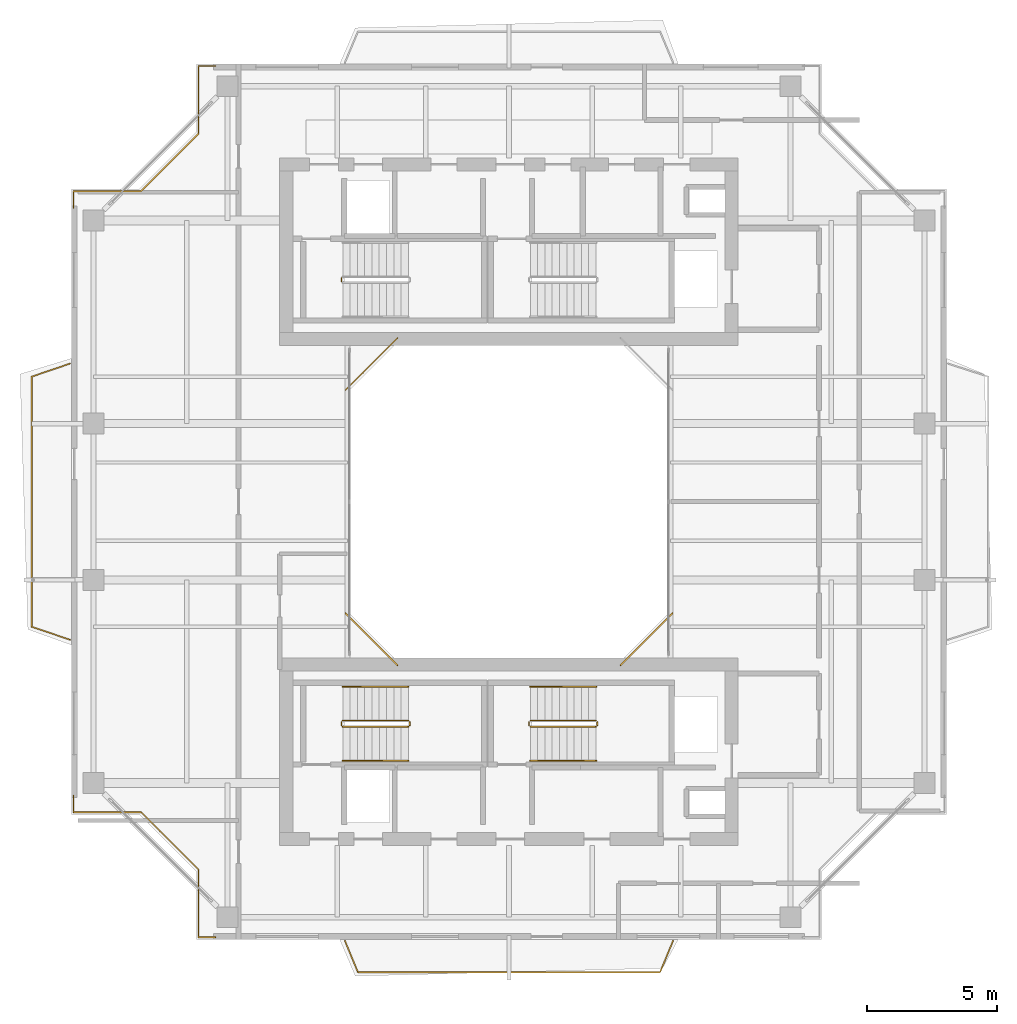
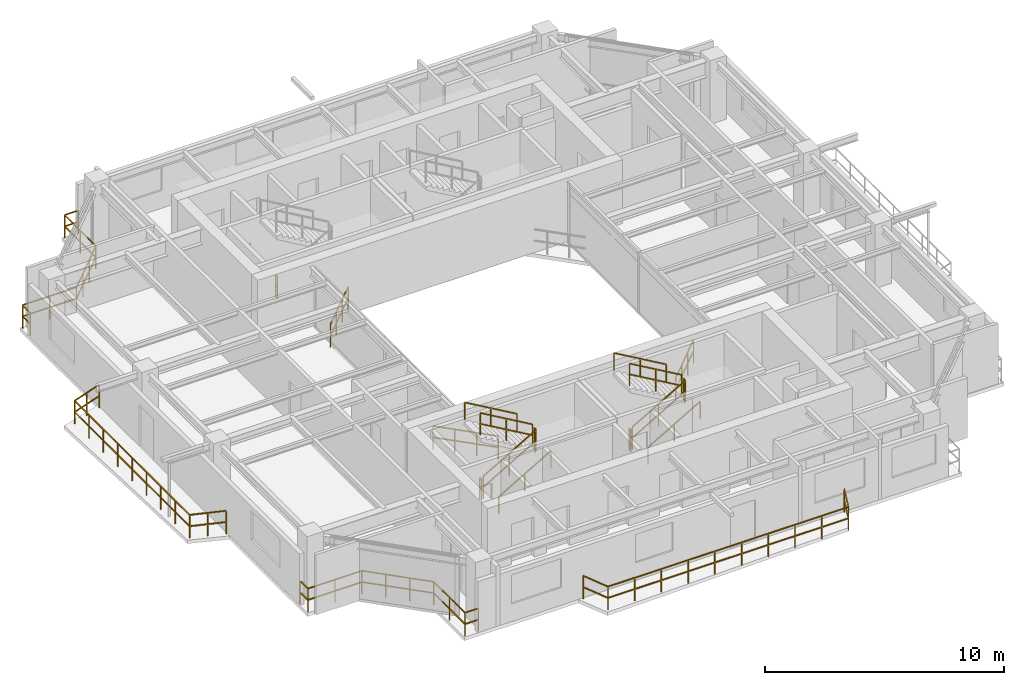
# One storey, part 14 of 15: 20 railings.
"""IFC4 building model written with IfcOpenShell, lengths in metres."""

import ifcopenshell
import ifcopenshell.guid

model = None  # the IFC model being written
_history = None  # IfcOwnerHistory: only IFC2X3 demands one
_inside = {}  # id of a spatial element -> (the spatial element, [elements in it])
_under = {}  # id of a project, library or spatial element -> (it, [spatial elements below it])
_declared = {}  # id of a project -> (the project, [libraries it declares])
_typed = {}  # id of a type object -> (the type object, [elements of that type])
_made_of = {}  # id of a material, layer set ... -> (it, [elements and type objects made of it])


def new_model(schema):
    """Start an empty IFC model of exactly this schema.

    Asked for "IFC4X3", IfcOpenShell would pick the latest addendum, in which some entities
    have other attributes; the version numbers below select the first issue.
    IFC2X3 requires an IfcOwnerHistory on every rooted entity: one is made here for all.
    """
    global model, _history
    if schema == "IFC4X3":
        model = ifcopenshell.file(schema_version=(4, 3, 0, 0))
    else:
        model = ifcopenshell.file(schema=schema)
    _inside.clear()
    _under.clear()
    _declared.clear()
    _typed.clear()
    _made_of.clear()
    _history = None
    if model.schema == "IFC2X3":
        org = make("IfcOrganization", Name="unknown")
        user = make(
            "IfcPersonAndOrganization",
            ThePerson=make("IfcPerson", FamilyName="unknown"),
            TheOrganization=org,
        )
        app = make(
            "IfcApplication",
            ApplicationDeveloper=org,
            Version="unknown",
            ApplicationFullName="unknown",
            ApplicationIdentifier="unknown",
        )
        _history = make(
            "IfcOwnerHistory",
            OwningUser=user,
            OwningApplication=app,
            ChangeAction="ADDED",
            CreationDate=0,
        )
    return model


def make(cls, **values):
    """One entity of the class cls with the attributes given. An attribute that is None is left unset."""
    return model.create_entity(
        cls, **{name: value for name, value in values.items() if value is not None}
    )


def rooted(cls, **values):
    """An entity with a GlobalId (a new one), such as an element, a storey or a relation."""
    return make(cls, GlobalId=ifcopenshell.guid.new(), OwnerHistory=_history, **values)


def si_unit(unit_type, name, prefix=None):
    """IfcSIUnit, for example si_unit("LENGTHUNIT", "METRE", prefix="MILLI")."""
    return make("IfcSIUnit", UnitType=unit_type, Prefix=prefix, Name=name)


def assignment(units):
    """IfcUnitAssignment: the units of a project."""
    return None if units is None else make("IfcUnitAssignment", Units=units)


def point(xyz):
    """IfcCartesianPoint."""
    return None if xyz is None else make("IfcCartesianPoint", Coordinates=xyz)


def direction(xyz):
    """IfcDirection."""
    return None if xyz is None else make("IfcDirection", DirectionRatios=xyz)


def frame(location, z_axis=None, x_axis=None):
    """IfcAxis2Placement3D, a coordinate frame: its origin and axes. An axis left out is left unset."""
    return make(
        "IfcAxis2Placement3D",
        Location=point(location),
        Axis=direction(z_axis),
        RefDirection=direction(x_axis),
    )


def frame_2d(location, x_axis=None):
    """IfcAxis2Placement2D, a coordinate frame in the plane: its origin and x axis."""
    return make(
        "IfcAxis2Placement2D", Location=point(location), RefDirection=direction(x_axis)
    )


def origin():
    """The frame at (0, 0, 0) with its axes left unset."""
    return frame((0.0, 0.0, 0.0))


def origin_2d():
    """The frame at (0, 0) in the plane with its x axis left unset."""
    return frame_2d((0.0, 0.0))


def place(relative_to, where):
    """IfcLocalPlacement: puts the frame where relative to a parent placement (None: the world)."""
    return make(
        "IfcLocalPlacement", PlacementRelTo=relative_to, RelativePlacement=where
    )


def context(
    kind, dimensions, precision=None, world=None, true_north=None, identifier=None
):
    """IfcGeometricRepresentationContext, for example the 3D "Model" context."""
    return make(
        "IfcGeometricRepresentationContext",
        ContextIdentifier=identifier,
        ContextType=kind,
        CoordinateSpaceDimension=dimensions,
        Precision=precision,
        WorldCoordinateSystem=world,
        TrueNorth=true_north,
    )


def subcontext(parent, identifier, kind, view, scale=None):
    """IfcGeometricRepresentationSubContext, for example "Body" below "Model"."""
    return make(
        "IfcGeometricRepresentationSubContext",
        ContextIdentifier=identifier,
        ContextType=kind,
        ParentContext=parent,
        TargetScale=scale,
        TargetView=view,
    )


def project(units=None, contexts=None):
    """IfcProject with its units and contexts."""
    return rooted(
        "IfcProject",
        Name="project",
        RepresentationContexts=contexts,
        UnitsInContext=assignment(units),
    )


def spatial(cls, under=None, at=None, **own):
    """A site, building, storey or space (cls), placed at a placement, below another one or the project."""
    s = rooted(cls, ObjectPlacement=at, **own)
    if under is not None:
        _under.setdefault(under.id(), (under, []))[1].append(s)
    return s


def profile(cls, at=None, kind="AREA", **sizes):
    """A parametric profile (cls). Its sizes go by their IFC names, for example OverallWidth=200.0."""
    return make(cls, ProfileType=kind, Position=at, **sizes)


def rectangle(**sizes):
    """IfcRectangleProfileDef."""
    return profile("IfcRectangleProfileDef", **sizes)


def extrude(swept, where, along, depth):
    """IfcExtrudedAreaSolid: the profile swept, set in the frame where, extruded along a direction by depth."""
    return make(
        "IfcExtrudedAreaSolid",
        SweptArea=swept,
        Position=where,
        ExtrudedDirection=direction(along),
        Depth=depth,
    )


def shape(context_of_items, identifier, shape_type, items):
    """IfcShapeRepresentation: the items that make up one representation, for example the "Body"."""
    return make(
        "IfcShapeRepresentation",
        ContextOfItems=context_of_items,
        RepresentationIdentifier=identifier,
        RepresentationType=shape_type,
        Items=items,
    )


def material(Name=None, Category=None):
    """IfcMaterial."""
    return make("IfcMaterial", Name=Name, Category=Category)


def made_of(thing, what):
    """Note that an element or type object is made of a material, layer set ...; save() writes the relation."""
    if what is not None:
        _made_of.setdefault(what.id(), (what, []))[1].append(thing)
    return thing


def type_object(cls, material=None, **own):
    """A type object (cls), such as IfcWallType, which elements share."""
    return made_of(rooted(cls, **own), material)


def element(
    cls,
    number,
    at=None,
    inside=None,
    cuts=None,
    type_object=None,
    material=None,
    context=None,
    identifier="Body",
    shape_type=None,
    held_by="IfcProductDefinitionShape",
    body=None,
    shapes=None,
    **own,
):
    """One element of the class cls, such as IfcWall. Its Tag is "e" and its number.

    at: its placement. inside: the storey or other place that contains it. cuts: it is an
    opening in that element (IfcRelVoidsElement). A single representation is given by context,
    identifier, shape_type and body (its items); several are given by shapes. held_by: the class
    of the entity that holds the representations. save() writes the other relations.
    """
    e = rooted(cls, Tag="e%d" % number, ObjectPlacement=at, **own)
    if body is not None:
        shapes = [shape(context, identifier, shape_type, body)]
    if shapes is not None:
        e.Representation = make(held_by, Representations=shapes)
    if inside is not None:
        _inside.setdefault(inside.id(), (inside, []))[1].append(e)
    if cuts is not None:
        rooted(
            "IfcRelVoidsElement", RelatingBuildingElement=cuts, RelatedOpeningElement=e
        )
    if type_object is not None:
        _typed.setdefault(type_object.id(), (type_object, []))[1].append(e)
    return made_of(e, material)


def aggregate(whole, parts):
    """IfcRelAggregates: a whole, such as a stair, and the parts it consists of."""
    return rooted("IfcRelAggregates", RelatingObject=whole, RelatedObjects=parts)


def save(model, path):
    """Write the relations noted so far, then the file.

    IfcRelAggregates (storeys below a building ...), IfcRelContainedInSpatialStructure (elements
    in a storey), IfcRelDefinesByType, IfcRelAssociatesMaterial and IfcRelDeclares: one each for
    every whole, place, type object, material and project.
    """
    for whole, parts in _under.values():
        aggregate(whole, parts)
    for where, things in _inside.values():
        rooted(
            "IfcRelContainedInSpatialStructure",
            RelatedElements=things,
            RelatingStructure=where,
        )
    for kind, things in _typed.values():
        rooted("IfcRelDefinesByType", RelatedObjects=things, RelatingType=kind)
    for what, things in _made_of.values():
        rooted("IfcRelAssociatesMaterial", RelatedObjects=things, RelatingMaterial=what)
    for by, libraries in _declared.values():
        rooted("IfcRelDeclares", RelatingContext=by, RelatedDefinitions=libraries)
    model.write(path)


model = new_model("IFC4")

# Units and contexts
model_context = context("Model", 3, precision=1e-05, world=origin(), true_north=direction((0.0, 1.0)))
body_context = subcontext(model_context, "Body", "Model", "MODEL_VIEW")
ifc_project = project(units=[si_unit("LENGTHUNIT", "METRE"), si_unit("AREAUNIT", "SQUARE_METRE"), si_unit("VOLUMEUNIT", "CUBIC_METRE"), si_unit("PLANEANGLEUNIT", "RADIAN"), si_unit("MASSUNIT", "GRAM", prefix="KILO"), si_unit("THERMODYNAMICTEMPERATUREUNIT", "KELVIN"), si_unit("POWERUNIT", "WATT")], contexts=[model_context])

# Site, building, storey
site_placement = place(None, origin())
site = spatial("IfcSite", under=ifc_project, at=site_placement, CompositionType="ELEMENT")
building_placement = place(site_placement, origin())
building = spatial("IfcBuilding", under=site, at=building_placement, Name="Qiaomeng Ring Towers", CompositionType="ELEMENT")
storey_placement = place(building_placement, frame((0.0, 0.0, 226.25)))
storey = spatial("IfcBuildingStorey", under=building, at=storey_placement, Name="L66", CompositionType="ELEMENT", Elevation=226.25)

# Railings
ifc_material_1 = material(Name="Low-E pale-green laminated safety glass", Category="glass")
railing_type_1 = type_object("IfcRailingType", Name="ARC-RL-BAL1", PredefinedType="BALUSTRADE", material=ifc_material_1)
railing_1_placement = place(storey_placement, frame((23.280029296875, 16.719970703125, 0.0)))
element("IfcRailing", 1, at=railing_1_placement, inside=storey, type_object=railing_type_1, Name="L66 Balustrade ARC-BAL-WELL1-L66-1", PredefinedType="BALUSTRADE", context=body_context, shape_type="SweptSolid", body=[
    extrude(rectangle(XDim=0.048095703125, YDim=0.048095703125, at=origin_2d()), frame((0.0, 0.0, 1.17578125), z_axis=(0.707106781187, 0.707106781187, 0.0), x_axis=(-0.707106781187, 0.707106781187, 0.0)), (0.0, 0.0, 1.0), 2.828369140625),
    extrude(rectangle(XDim=0.048095703125, YDim=0.048095703125, at=origin_2d()), frame((0.0, 0.0, 0.60009765625), z_axis=(0.707106781187, 0.707106781187, 0.0), x_axis=(-0.707106781187, 0.707106781187, 0.0)), (0.0, 0.0, 1.0), 2.828369140625),
    extrude(rectangle(XDim=0.0419921875, YDim=0.0419921875, at=origin_2d()), origin(), (0.0, 0.0, 1.0), 1.15185546875),
    extrude(rectangle(XDim=0.0419921875, YDim=0.0419921875, at=origin_2d()), frame((0.666748046875, 0.666748046875, 0.0)), (0.0, 0.0, 1.0), 1.15185546875),
    extrude(rectangle(XDim=0.0419921875, YDim=0.0419921875, at=origin_2d()), frame((1.333251953125, 1.333251953125, 0.0)), (0.0, 0.0, 1.0), 1.15185546875),
    extrude(rectangle(XDim=0.0419921875, YDim=0.0419921875, at=origin_2d()), frame((2.0, 2.0, 0.0)), (0.0, 0.0, 1.0), 1.15185546875),
])
railing_2_placement = place(storey_placement, frame((14.719970703125, 29.280029296875, 0.0)))
element("IfcRailing", 2, at=railing_2_placement, inside=storey, type_object=railing_type_1, Name="L66 Balustrade ARC-BAL-WELL1-L66-3", PredefinedType="BALUSTRADE", context=body_context, shape_type="SweptSolid", body=[
    extrude(rectangle(XDim=0.048095703125, YDim=0.048095703125, at=origin_2d()), frame((0.0, 0.0, 1.17578125), z_axis=(-0.707106781187, -0.707106781187, 0.0), x_axis=(0.707106781187, -0.707106781187, 0.0)), (0.0, 0.0, 1.0), 2.828369140625),
    extrude(rectangle(XDim=0.048095703125, YDim=0.048095703125, at=origin_2d()), frame((0.0, 0.0, 0.60009765625), z_axis=(-0.707106781187, -0.707106781187, 0.0), x_axis=(0.707106781187, -0.707106781187, 0.0)), (0.0, 0.0, 1.0), 2.828369140625),
    extrude(rectangle(XDim=0.0419921875, YDim=0.0419921875, at=origin_2d()), origin(), (0.0, 0.0, 1.0), 1.15185546875),
    extrude(rectangle(XDim=0.0419921875, YDim=0.0419921875, at=origin_2d()), frame((-0.666748046875, -0.666748046875, 0.0)), (0.0, 0.0, 1.0), 1.15185546875),
    extrude(rectangle(XDim=0.0419921875, YDim=0.0419921875, at=origin_2d()), frame((-1.333251953125, -1.333251953125, 0.0)), (0.0, 0.0, 1.0), 1.15185546875),
    extrude(rectangle(XDim=0.0419921875, YDim=0.0419921875, at=origin_2d()), frame((-2.0, -2.0, 0.0)), (0.0, 0.0, 1.0), 1.15185546875),
])
railing_3_placement = place(storey_placement, frame((12.719970703125, 18.719970703125, 0.0)))
element("IfcRailing", 3, at=railing_3_placement, inside=storey, type_object=railing_type_1, Name="L66 Balustrade ARC-BAL-WELL1-L66-4", PredefinedType="BALUSTRADE", context=body_context, shape_type="SweptSolid", body=[
    extrude(rectangle(XDim=0.048095703125, YDim=0.048095703125, at=origin_2d()), frame((0.0, 0.0, 1.17578125), z_axis=(0.707106781187, -0.707106781187, 0.0), x_axis=(0.707106781187, 0.707106781187, 0.0)), (0.0, 0.0, 1.0), 2.828369140625),
    extrude(rectangle(XDim=0.048095703125, YDim=0.048095703125, at=origin_2d()), frame((0.0, 0.0, 0.60009765625), z_axis=(0.707106781187, -0.707106781187, 0.0), x_axis=(0.707106781187, 0.707106781187, 0.0)), (0.0, 0.0, 1.0), 2.828369140625),
    extrude(rectangle(XDim=0.0419921875, YDim=0.0419921875, at=origin_2d()), origin(), (0.0, 0.0, 1.0), 1.15185546875),
    extrude(rectangle(XDim=0.0419921875, YDim=0.0419921875, at=origin_2d()), frame((0.666748046875, -0.666748046875, 0.0)), (0.0, 0.0, 1.0), 1.15185546875),
    extrude(rectangle(XDim=0.0419921875, YDim=0.0419921875, at=origin_2d()), frame((1.333251953125, -1.333251953125, 0.0)), (0.0, 0.0, 1.0), 1.15185546875),
    extrude(rectangle(XDim=0.0419921875, YDim=0.0419921875, at=origin_2d()), frame((2.0, -2.0, 0.0)), (0.0, 0.0, 1.0), 1.15185546875),
])
railing_4_placement = place(storey_placement, frame((7.72998046875, 39.719970703125, 0.0)))
element("IfcRailing", 4, at=railing_4_placement, inside=storey, type_object=railing_type_1, Name="L66 Balustrade ARC-BAL-NOTCH1-L66-NW", PredefinedType="BALUSTRADE", context=body_context, shape_type="SweptSolid", body=[
    extrude(rectangle(XDim=0.048095703125, YDim=0.048095703125, at=origin_2d()), frame((0.0, 0.0, 1.17578125), z_axis=(-1.0, 0.0, 0.0), x_axis=(0.0, -1.0, 0.0)), (0.0, 0.0, 1.0), 0.64990234375),
    extrude(rectangle(XDim=0.048095703125, YDim=0.048095703125, at=origin_2d()), frame((0.0, 0.0, 0.60009765625), z_axis=(-1.0, 0.0, 0.0), x_axis=(0.0, -1.0, 0.0)), (0.0, 0.0, 1.0), 0.64990234375),
    extrude(rectangle(XDim=0.048095703125, YDim=0.048095703125, at=origin_2d()), frame((-0.64990234375, 0.0, 1.17578125), z_axis=(0.0, -1.0, 0.0), x_axis=(1.0, 0.0, 0.0)), (0.0, 0.0, 1.0), 2.599853515625),
    extrude(rectangle(XDim=0.048095703125, YDim=0.048095703125, at=origin_2d()), frame((-0.64990234375, 0.0, 0.60009765625), z_axis=(0.0, -1.0, 0.0), x_axis=(1.0, 0.0, 0.0)), (0.0, 0.0, 1.0), 2.599853515625),
    extrude(rectangle(XDim=0.048095703125, YDim=0.048095703125, at=origin_2d()), frame((-0.64990234375, -2.599853515625, 1.17578125), z_axis=(-0.707106781187, -0.707106781187, 0.0), x_axis=(0.707106781187, -0.707106781187, 0.0)), (0.0, 0.0, 1.0), 3.111572265625),
    extrude(rectangle(XDim=0.048095703125, YDim=0.048095703125, at=origin_2d()), frame((-0.64990234375, -2.599853515625, 0.60009765625), z_axis=(-0.707106781187, -0.707106781187, 0.0), x_axis=(0.707106781187, -0.707106781187, 0.0)), (0.0, 0.0, 1.0), 3.111572265625),
    extrude(rectangle(XDim=0.048095703125, YDim=0.048095703125, at=origin_2d()), frame((-2.85009765625, -4.800048828125, 1.17578125), z_axis=(-1.0, 0.0, 0.0), x_axis=(0.0, -1.0, 0.0)), (0.0, 0.0, 1.0), 2.599853515625),
    extrude(rectangle(XDim=0.048095703125, YDim=0.048095703125, at=origin_2d()), frame((-2.85009765625, -4.800048828125, 0.60009765625), z_axis=(-1.0, 0.0, 0.0), x_axis=(0.0, -1.0, 0.0)), (0.0, 0.0, 1.0), 2.599853515625),
    extrude(rectangle(XDim=0.048095703125, YDim=0.048095703125, at=origin_2d()), frame((-5.449951171875, -4.800048828125, 1.17578125), z_axis=(0.0, -1.0, 0.0), x_axis=(1.0, 0.0, 0.0)), (0.0, 0.0, 1.0), 0.64990234375),
    extrude(rectangle(XDim=0.048095703125, YDim=0.048095703125, at=origin_2d()), frame((-5.449951171875, -4.800048828125, 0.60009765625), z_axis=(0.0, -1.0, 0.0), x_axis=(1.0, 0.0, 0.0)), (0.0, 0.0, 1.0), 0.64990234375),
    extrude(rectangle(XDim=0.0419921875, YDim=0.0419921875, at=origin_2d()), origin(), (0.0, 0.0, 1.0), 1.15185546875),
    extrude(rectangle(XDim=0.0419921875, YDim=0.0419921875, at=origin_2d()), frame((-0.64990234375, 0.0, 0.0)), (0.0, 0.0, 1.0), 1.15185546875),
    extrude(rectangle(XDim=0.0419921875, YDim=0.0419921875, at=origin_2d()), frame((-0.64990234375, -1.2998046875, 0.0)), (0.0, 0.0, 1.0), 1.15185546875),
    extrude(rectangle(XDim=0.0419921875, YDim=0.0419921875, at=origin_2d()), frame((-0.64990234375, -2.599853515625, 0.0)), (0.0, 0.0, 1.0), 1.15185546875),
    extrude(rectangle(XDim=0.0419921875, YDim=0.0419921875, at=origin_2d()), frame((-1.38330078125, -3.333251953125, 0.0)), (0.0, 0.0, 1.0), 1.15185546875),
    extrude(rectangle(XDim=0.0419921875, YDim=0.0419921875, at=origin_2d()), frame((-2.11669921875, -4.066650390625, 0.0)), (0.0, 0.0, 1.0), 1.15185546875),
    extrude(rectangle(XDim=0.0419921875, YDim=0.0419921875, at=origin_2d()), frame((-2.85009765625, -4.800048828125, 0.0)), (0.0, 0.0, 1.0), 1.15185546875),
    extrude(rectangle(XDim=0.0419921875, YDim=0.0419921875, at=origin_2d()), frame((-4.14990234375, -4.800048828125, 0.0)), (0.0, 0.0, 1.0), 1.15185546875),
    extrude(rectangle(XDim=0.0419921875, YDim=0.0419921875, at=origin_2d()), frame((-5.449951171875, -4.800048828125, 0.0)), (0.0, 0.0, 1.0), 1.15185546875),
    extrude(rectangle(XDim=0.0419921875, YDim=0.0419921875, at=origin_2d()), frame((-5.449951171875, -5.449951171875, 0.0)), (0.0, 0.0, 1.0), 1.15185546875),
])
railing_5_placement = place(storey_placement, frame((2.280029296875, 11.72998046875, 0.0)))
element("IfcRailing", 5, at=railing_5_placement, inside=storey, type_object=railing_type_1, Name="L66 Balustrade ARC-BAL-NOTCH1-L66-SW", PredefinedType="BALUSTRADE", context=body_context, shape_type="SweptSolid", body=[
    extrude(rectangle(XDim=0.048095703125, YDim=0.048095703125, at=origin_2d()), frame((0.0, 0.0, 1.17578125), z_axis=(0.0, -1.0, 0.0), x_axis=(1.0, 0.0, 0.0)), (0.0, 0.0, 1.0), 0.64990234375),
    extrude(rectangle(XDim=0.048095703125, YDim=0.048095703125, at=origin_2d()), frame((0.0, 0.0, 0.60009765625), z_axis=(0.0, -1.0, 0.0), x_axis=(1.0, 0.0, 0.0)), (0.0, 0.0, 1.0), 0.64990234375),
    extrude(rectangle(XDim=0.048095703125, YDim=0.048095703125, at=origin_2d()), frame((0.0, -0.64990234375, 1.17578125), z_axis=(1.0, 0.0, 0.0), x_axis=(0.0, 1.0, 0.0)), (0.0, 0.0, 1.0), 2.599853515625),
    extrude(rectangle(XDim=0.048095703125, YDim=0.048095703125, at=origin_2d()), frame((0.0, -0.64990234375, 0.60009765625), z_axis=(1.0, 0.0, 0.0), x_axis=(0.0, 1.0, 0.0)), (0.0, 0.0, 1.0), 2.599853515625),
    extrude(rectangle(XDim=0.048095703125, YDim=0.048095703125, at=origin_2d()), frame((2.599853515625, -0.64990234375, 1.17578125), z_axis=(0.707106781187, -0.707106781187, 0.0), x_axis=(0.707106781187, 0.707106781187, 0.0)), (0.0, 0.0, 1.0), 3.111572265625),
    extrude(rectangle(XDim=0.048095703125, YDim=0.048095703125, at=origin_2d()), frame((2.599853515625, -0.64990234375, 0.60009765625), z_axis=(0.707106781187, -0.707106781187, 0.0), x_axis=(0.707106781187, 0.707106781187, 0.0)), (0.0, 0.0, 1.0), 3.111572265625),
    extrude(rectangle(XDim=0.048095703125, YDim=0.048095703125, at=origin_2d()), frame((4.800048828125, -2.85009765625, 1.17578125), z_axis=(0.0, -1.0, 0.0), x_axis=(1.0, 0.0, 0.0)), (0.0, 0.0, 1.0), 2.599853515625),
    extrude(rectangle(XDim=0.048095703125, YDim=0.048095703125, at=origin_2d()), frame((4.800048828125, -2.85009765625, 0.60009765625), z_axis=(0.0, -1.0, 0.0), x_axis=(1.0, 0.0, 0.0)), (0.0, 0.0, 1.0), 2.599853515625),
    extrude(rectangle(XDim=0.048095703125, YDim=0.048095703125, at=origin_2d()), frame((4.800048828125, -5.449951171875, 1.17578125), z_axis=(1.0, 0.0, 0.0), x_axis=(0.0, 1.0, 0.0)), (0.0, 0.0, 1.0), 0.64990234375),
    extrude(rectangle(XDim=0.048095703125, YDim=0.048095703125, at=origin_2d()), frame((4.800048828125, -5.449951171875, 0.60009765625), z_axis=(1.0, 0.0, 0.0), x_axis=(0.0, 1.0, 0.0)), (0.0, 0.0, 1.0), 0.64990234375),
    extrude(rectangle(XDim=0.0419921875, YDim=0.0419921875, at=origin_2d()), origin(), (0.0, 0.0, 1.0), 1.15185546875),
    extrude(rectangle(XDim=0.0419921875, YDim=0.0419921875, at=origin_2d()), frame((0.0, -0.64990234375, 0.0)), (0.0, 0.0, 1.0), 1.15185546875),
    extrude(rectangle(XDim=0.0419921875, YDim=0.0419921875, at=origin_2d()), frame((1.2998046875, -0.64990234375, 0.0)), (0.0, 0.0, 1.0), 1.15185546875),
    extrude(rectangle(XDim=0.0419921875, YDim=0.0419921875, at=origin_2d()), frame((2.599853515625, -0.64990234375, 0.0)), (0.0, 0.0, 1.0), 1.15185546875),
    extrude(rectangle(XDim=0.0419921875, YDim=0.0419921875, at=origin_2d()), frame((3.333251953125, -1.38330078125, 0.0)), (0.0, 0.0, 1.0), 1.15185546875),
    extrude(rectangle(XDim=0.0419921875, YDim=0.0419921875, at=origin_2d()), frame((4.066650390625, -2.11669921875, 0.0)), (0.0, 0.0, 1.0), 1.15185546875),
    extrude(rectangle(XDim=0.0419921875, YDim=0.0419921875, at=origin_2d()), frame((4.800048828125, -2.85009765625, 0.0)), (0.0, 0.0, 1.0), 1.15185546875),
    extrude(rectangle(XDim=0.0419921875, YDim=0.0419921875, at=origin_2d()), frame((4.800048828125, -4.14990234375, 0.0)), (0.0, 0.0, 1.0), 1.15185546875),
    extrude(rectangle(XDim=0.0419921875, YDim=0.0419921875, at=origin_2d()), frame((4.800048828125, -5.449951171875, 0.0)), (0.0, 0.0, 1.0), 1.15185546875),
    extrude(rectangle(XDim=0.0419921875, YDim=0.0419921875, at=origin_2d()), frame((5.449951171875, -5.449951171875, 0.0)), (0.0, 0.0, 1.0), 1.15185546875),
])
railing_6_placement = place(storey_placement, frame((12.699951171875, 6.14990234375, 0.0)))
element("IfcRailing", 6, at=railing_6_placement, inside=storey, type_object=railing_type_1, Name="L66 Balustrade ARC-BAL-L66-T1-S", PredefinedType="BALUSTRADE", context=body_context, shape_type="SweptSolid", body=[
    extrude(rectangle(XDim=0.048095703125, YDim=0.048095703125, at=origin_2d()), frame((0.0, 0.0, 1.17578125), z_axis=(0.381912525892, -0.924198475743, 0.0), x_axis=(0.924198475743, 0.381912525892, 0.0)), (0.0, 0.0, 1.0), 1.30908203125),
    extrude(rectangle(XDim=0.048095703125, YDim=0.048095703125, at=origin_2d()), frame((0.0, 0.0, 0.60009765625), z_axis=(0.381912525892, -0.924198475743, 0.0), x_axis=(0.924198475743, 0.381912525892, 0.0)), (0.0, 0.0, 1.0), 1.30908203125),
    extrude(rectangle(XDim=0.048095703125, YDim=0.048095703125, at=origin_2d()), frame((0.5, -1.2099609375, 1.17578125), z_axis=(1.0, 0.0, 0.0), x_axis=(0.0, 1.0, 0.0)), (0.0, 0.0, 1.0), 11.60009765625),
    extrude(rectangle(XDim=0.048095703125, YDim=0.048095703125, at=origin_2d()), frame((0.5, -1.2099609375, 0.60009765625), z_axis=(1.0, 0.0, 0.0), x_axis=(0.0, 1.0, 0.0)), (0.0, 0.0, 1.0), 11.60009765625),
    extrude(rectangle(XDim=0.048095703125, YDim=0.048095703125, at=origin_2d()), frame((12.10009765625, -1.2099609375, 1.17578125), z_axis=(0.381912525892, 0.924198475743, 0.0), x_axis=(-0.924198475743, 0.381912525892, 0.0)), (0.0, 0.0, 1.0), 1.30908203125),
    extrude(rectangle(XDim=0.048095703125, YDim=0.048095703125, at=origin_2d()), frame((12.10009765625, -1.2099609375, 0.60009765625), z_axis=(0.381912525892, 0.924198475743, 0.0), x_axis=(-0.924198475743, 0.381912525892, 0.0)), (0.0, 0.0, 1.0), 1.30908203125),
    extrude(rectangle(XDim=0.0419921875, YDim=0.0419921875, at=origin_2d()), origin(), (0.0, 0.0, 1.0), 1.15185546875),
    extrude(rectangle(XDim=0.0419921875, YDim=0.0419921875, at=origin_2d()), frame((0.5, -1.2099609375, 0.0)), (0.0, 0.0, 1.0), 1.15185546875),
    extrude(rectangle(XDim=0.0419921875, YDim=0.0419921875, at=origin_2d()), frame((1.788818359375, -1.2099609375, 0.0)), (0.0, 0.0, 1.0), 1.15185546875),
    extrude(rectangle(XDim=0.0419921875, YDim=0.0419921875, at=origin_2d()), frame((3.077880859375, -1.2099609375, 0.0)), (0.0, 0.0, 1.0), 1.15185546875),
    extrude(rectangle(XDim=0.0419921875, YDim=0.0419921875, at=origin_2d()), frame((4.36669921875, -1.2099609375, 0.0)), (0.0, 0.0, 1.0), 1.15185546875),
    extrude(rectangle(XDim=0.0419921875, YDim=0.0419921875, at=origin_2d()), frame((5.655517578125, -1.2099609375, 0.0)), (0.0, 0.0, 1.0), 1.15185546875),
    extrude(rectangle(XDim=0.0419921875, YDim=0.0419921875, at=origin_2d()), frame((6.944580078125, -1.2099609375, 0.0)), (0.0, 0.0, 1.0), 1.15185546875),
    extrude(rectangle(XDim=0.0419921875, YDim=0.0419921875, at=origin_2d()), frame((8.2333984375, -1.2099609375, 0.0)), (0.0, 0.0, 1.0), 1.15185546875),
    extrude(rectangle(XDim=0.0419921875, YDim=0.0419921875, at=origin_2d()), frame((9.522216796875, -1.2099609375, 0.0)), (0.0, 0.0, 1.0), 1.15185546875),
    extrude(rectangle(XDim=0.0419921875, YDim=0.0419921875, at=origin_2d()), frame((10.811279296875, -1.2099609375, 0.0)), (0.0, 0.0, 1.0), 1.15185546875),
    extrude(rectangle(XDim=0.0419921875, YDim=0.0419921875, at=origin_2d()), frame((12.10009765625, -1.2099609375, 0.0)), (0.0, 0.0, 1.0), 1.15185546875),
    extrude(rectangle(XDim=0.0419921875, YDim=0.0419921875, at=origin_2d()), frame((12.60009765625, 0.0, 0.0)), (0.0, 0.0, 1.0), 1.15185546875),
])
railing_7_placement = place(storey_placement, frame((2.14990234375, 17.699951171875, 0.0)))
element("IfcRailing", 7, at=railing_7_placement, inside=storey, type_object=railing_type_1, Name="L66 Balustrade ARC-BAL-L66-T1-W", PredefinedType="BALUSTRADE", context=body_context, shape_type="SweptSolid", body=[
    extrude(rectangle(XDim=0.048095703125, YDim=0.048095703125, at=origin_2d()), frame((0.0, 0.0, 1.17578125), z_axis=(-0.946731524739, 0.322023943309, 0.0), x_axis=(-0.322023943309, -0.946731524739, 0.0)), (0.0, 0.0, 1.0), 1.552734375),
    extrude(rectangle(XDim=0.048095703125, YDim=0.048095703125, at=origin_2d()), frame((0.0, 0.0, 0.60009765625), z_axis=(-0.946731524739, 0.322023943309, 0.0), x_axis=(-0.322023943309, -0.946731524739, 0.0)), (0.0, 0.0, 1.0), 1.552734375),
    extrude(rectangle(XDim=0.048095703125, YDim=0.048095703125, at=origin_2d()), frame((-1.469970703125, 0.5, 1.17578125), z_axis=(0.0, 1.0, 0.0), x_axis=(-1.0, 0.0, 0.0)), (0.0, 0.0, 1.0), 9.60009765625),
    extrude(rectangle(XDim=0.048095703125, YDim=0.048095703125, at=origin_2d()), frame((-1.469970703125, 0.5, 0.60009765625), z_axis=(0.0, 1.0, 0.0), x_axis=(-1.0, 0.0, 0.0)), (0.0, 0.0, 1.0), 9.60009765625),
    extrude(rectangle(XDim=0.048095703125, YDim=0.048095703125, at=origin_2d()), frame((-1.469970703125, 10.10009765625, 1.17578125), z_axis=(0.946731524739, 0.322023943309, 0.0), x_axis=(-0.322023943309, 0.946731524739, 0.0)), (0.0, 0.0, 1.0), 1.552734375),
    extrude(rectangle(XDim=0.048095703125, YDim=0.048095703125, at=origin_2d()), frame((-1.469970703125, 10.10009765625, 0.60009765625), z_axis=(0.946731524739, 0.322023943309, 0.0), x_axis=(-0.322023943309, 0.946731524739, 0.0)), (0.0, 0.0, 1.0), 1.552734375),
    extrude(rectangle(XDim=0.0419921875, YDim=0.0419921875, at=origin_2d()), origin(), (0.0, 0.0, 1.0), 1.15185546875),
    extrude(rectangle(XDim=0.0419921875, YDim=0.0419921875, at=origin_2d()), frame((-0.73486328125, 0.25, 0.0)), (0.0, 0.0, 1.0), 1.15185546875),
    extrude(rectangle(XDim=0.0419921875, YDim=0.0419921875, at=origin_2d()), frame((-1.469970703125, 0.5, 0.0)), (0.0, 0.0, 1.0), 1.15185546875),
    extrude(rectangle(XDim=0.0419921875, YDim=0.0419921875, at=origin_2d()), frame((-1.469970703125, 1.699951171875, 0.0)), (0.0, 0.0, 1.0), 1.15185546875),
    extrude(rectangle(XDim=0.0419921875, YDim=0.0419921875, at=origin_2d()), frame((-1.469970703125, 2.89990234375, 0.0)), (0.0, 0.0, 1.0), 1.15185546875),
    extrude(rectangle(XDim=0.0419921875, YDim=0.0419921875, at=origin_2d()), frame((-1.469970703125, 4.10009765625, 0.0)), (0.0, 0.0, 1.0), 1.15185546875),
    extrude(rectangle(XDim=0.0419921875, YDim=0.0419921875, at=origin_2d()), frame((-1.469970703125, 5.300048828125, 0.0)), (0.0, 0.0, 1.0), 1.15185546875),
    extrude(rectangle(XDim=0.0419921875, YDim=0.0419921875, at=origin_2d()), frame((-1.469970703125, 6.5, 0.0)), (0.0, 0.0, 1.0), 1.15185546875),
    extrude(rectangle(XDim=0.0419921875, YDim=0.0419921875, at=origin_2d()), frame((-1.469970703125, 7.7001953125, 0.0)), (0.0, 0.0, 1.0), 1.15185546875),
    extrude(rectangle(XDim=0.0419921875, YDim=0.0419921875, at=origin_2d()), frame((-1.469970703125, 8.900146484375, 0.0)), (0.0, 0.0, 1.0), 1.15185546875),
    extrude(rectangle(XDim=0.0419921875, YDim=0.0419921875, at=origin_2d()), frame((-1.469970703125, 10.10009765625, 0.0)), (0.0, 0.0, 1.0), 1.15185546875),
    extrude(rectangle(XDim=0.0419921875, YDim=0.0419921875, at=origin_2d()), frame((-0.73486328125, 10.35009765625, 0.0)), (0.0, 0.0, 1.0), 1.15185546875),
    extrude(rectangle(XDim=0.0419921875, YDim=0.0419921875, at=origin_2d()), frame((0.0, 10.60009765625, 0.0)), (0.0, 0.0, 1.0), 1.15185546875),
])
ifc_material_2 = material(Name="Galvanised steel", Category="steel")
railing_type_2 = type_object("IfcRailingType", Name="ARC-RL-GUARD", PredefinedType="GUARDRAIL", material=ifc_material_2)
railing_8_placement = place(storey_placement, frame((12.570068359375, 31.449951171875, 0.0)))
element("IfcRailing", 8, at=railing_8_placement, inside=storey, type_object=railing_type_2, Name="L66 ST1 stair guard 4", PredefinedType="GUARDRAIL", context=body_context, shape_type="SweptSolid", body=[
    extrude(rectangle(XDim=0.048095703125, YDim=0.048095703125, at=origin_2d()), frame((0.0, 0.0, 1.1259765625), z_axis=(0.0, 1.0, 0.0), x_axis=(-1.0, 0.0, 0.0)), (0.0, 0.0, 1.0), 0.14013671875),
    extrude(rectangle(XDim=0.048095703125, YDim=0.048095703125, at=origin_2d()), frame((0.0, 0.0, 0.574951171875), z_axis=(0.0, 1.0, 0.0), x_axis=(-1.0, 0.0, 0.0)), (0.0, 0.0, 1.0), 0.14013671875),
    extrude(rectangle(XDim=0.0419921875, YDim=0.0419921875, at=origin_2d()), origin(), (0.0, 0.0, 1.0), 1.101806640625),
    extrude(rectangle(XDim=0.0419921875, YDim=0.0419921875, at=origin_2d()), frame((0.0, 0.14013671875, 0.0)), (0.0, 0.0, 1.0), 1.101806640625),
])
railing_9_placement = place(storey_placement, frame((12.6201171875, 14.360107421875, 0.16259765625)))
element("IfcRailing", 9, at=railing_9_placement, inside=storey, type_object=railing_type_2, Name="L66 ST3 stair guard 1", PredefinedType="GUARDRAIL", context=body_context, shape_type="SweptSolid", body=[
    extrude(rectangle(XDim=0.048095703125, YDim=0.048095703125, at=origin_2d()), frame((0.0, 0.0, 1.1259765625), z_axis=(0.864892226395, 0.0, 0.501957604506), x_axis=(0.0, 1.0, 0.0)), (0.0, 0.0, 1.0), 2.913330078125),
    extrude(rectangle(XDim=0.048095703125, YDim=0.048095703125, at=origin_2d()), frame((0.0, 0.0, 0.574951171875), z_axis=(0.864892226395, 0.0, 0.501957604506), x_axis=(0.0, 1.0, 0.0)), (0.0, 0.0, 1.0), 2.913330078125),
    extrude(rectangle(XDim=0.0419921875, YDim=0.0419921875, at=origin_2d()), origin(), (0.0, 0.0, 1.0), 1.101806640625),
    extrude(rectangle(XDim=0.0419921875, YDim=0.0419921875, at=origin_2d()), frame((1.259765625, 0.0, 0.731201171875)), (0.0, 0.0, 1.0), 1.101806640625),
    extrude(rectangle(XDim=0.0419921875, YDim=0.0419921875, at=origin_2d()), frame((2.519775390625, 0.0, 1.46240234375)), (0.0, 0.0, 1.0), 1.101806640625),
])
railing_10_placement = place(storey_placement, frame((15.18994140625, 14.409912109375, 1.625)))
element("IfcRailing", 10, at=railing_10_placement, inside=storey, type_object=railing_type_2, Name="L66 ST3 stair guard 2", PredefinedType="GUARDRAIL", context=body_context, shape_type="SweptSolid", body=[
    extrude(rectangle(XDim=0.048095703125, YDim=0.048095703125, at=origin_2d()), frame((0.0, 0.0, 1.1259765625), z_axis=(0.0, 1.0, 0.0), x_axis=(-1.0, 0.0, 0.0)), (0.0, 0.0, 1.0), 0.14013671875),
    extrude(rectangle(XDim=0.048095703125, YDim=0.048095703125, at=origin_2d()), frame((0.0, 0.0, 0.574951171875), z_axis=(0.0, 1.0, 0.0), x_axis=(-1.0, 0.0, 0.0)), (0.0, 0.0, 1.0), 0.14013671875),
    extrude(rectangle(XDim=0.0419921875, YDim=0.0419921875, at=origin_2d()), origin(), (0.0, 0.0, 1.0), 1.101806640625),
    extrude(rectangle(XDim=0.0419921875, YDim=0.0419921875, at=origin_2d()), frame((0.0, 0.14013671875, 0.0)), (0.0, 0.0, 1.0), 1.101806640625),
])
railing_11_placement = place(storey_placement, frame((15.139892578125, 14.60009765625, 1.78759765625)))
element("IfcRailing", 11, at=railing_11_placement, inside=storey, type_object=railing_type_2, Name="L66 ST3 stair guard 3", PredefinedType="GUARDRAIL", context=body_context, shape_type="SweptSolid", body=[
    extrude(rectangle(XDim=0.048095703125, YDim=0.048095703125, at=origin_2d()), frame((0.0, 0.0, 1.1259765625), z_axis=(-0.864892226395, 0.0, 0.501957604506), x_axis=(0.0, -1.0, 0.0)), (0.0, 0.0, 1.0), 2.913330078125),
    extrude(rectangle(XDim=0.048095703125, YDim=0.048095703125, at=origin_2d()), frame((0.0, 0.0, 0.574951171875), z_axis=(-0.864892226395, 0.0, 0.501957604506), x_axis=(0.0, -1.0, 0.0)), (0.0, 0.0, 1.0), 2.913330078125),
    extrude(rectangle(XDim=0.0419921875, YDim=0.0419921875, at=origin_2d()), origin(), (0.0, 0.0, 1.0), 1.101806640625),
    extrude(rectangle(XDim=0.0419921875, YDim=0.0419921875, at=origin_2d()), frame((-1.259765625, 0.0, 0.731201171875)), (0.0, 0.0, 1.0), 1.101806640625),
    extrude(rectangle(XDim=0.0419921875, YDim=0.0419921875, at=origin_2d()), frame((-2.519775390625, 0.0, 1.46240234375)), (0.0, 0.0, 1.0), 1.101806640625),
])
railing_12_placement = place(storey_placement, frame((12.570068359375, 14.409912109375, 0.0)))
element("IfcRailing", 12, at=railing_12_placement, inside=storey, type_object=railing_type_2, Name="L66 ST3 stair guard 4", PredefinedType="GUARDRAIL", context=body_context, shape_type="SweptSolid", body=[
    extrude(rectangle(XDim=0.048095703125, YDim=0.048095703125, at=origin_2d()), frame((0.0, 0.0, 1.1259765625), z_axis=(0.0, 1.0, 0.0), x_axis=(-1.0, 0.0, 0.0)), (0.0, 0.0, 1.0), 0.14013671875),
    extrude(rectangle(XDim=0.048095703125, YDim=0.048095703125, at=origin_2d()), frame((0.0, 0.0, 0.574951171875), z_axis=(0.0, 1.0, 0.0), x_axis=(-1.0, 0.0, 0.0)), (0.0, 0.0, 1.0), 0.14013671875),
    extrude(rectangle(XDim=0.0419921875, YDim=0.0419921875, at=origin_2d()), origin(), (0.0, 0.0, 1.0), 1.101806640625),
    extrude(rectangle(XDim=0.0419921875, YDim=0.0419921875, at=origin_2d()), frame((0.0, 0.14013671875, 0.0)), (0.0, 0.0, 1.0), 1.101806640625),
])
railing_13_placement = place(storey_placement, frame((19.820068359375, 14.360107421875, 0.16259765625)))
element("IfcRailing", 13, at=railing_13_placement, inside=storey, type_object=railing_type_2, Name="L66 ST4 stair guard 1", PredefinedType="GUARDRAIL", context=body_context, shape_type="SweptSolid", body=[
    extrude(rectangle(XDim=0.048095703125, YDim=0.048095703125, at=origin_2d()), frame((0.0, 0.0, 1.1259765625), z_axis=(0.864913338283, 0.0, 0.50192122615), x_axis=(0.0, 1.0, 0.0)), (0.0, 0.0, 1.0), 2.91357421875),
    extrude(rectangle(XDim=0.048095703125, YDim=0.048095703125, at=origin_2d()), frame((0.0, 0.0, 0.574951171875), z_axis=(0.864913338283, 0.0, 0.50192122615), x_axis=(0.0, 1.0, 0.0)), (0.0, 0.0, 1.0), 2.91357421875),
    extrude(rectangle(XDim=0.0419921875, YDim=0.0419921875, at=origin_2d()), origin(), (0.0, 0.0, 1.0), 1.101806640625),
    extrude(rectangle(XDim=0.0419921875, YDim=0.0419921875, at=origin_2d()), frame((1.260009765625, 0.0, 0.731201171875)), (0.0, 0.0, 1.0), 1.101806640625),
    extrude(rectangle(XDim=0.0419921875, YDim=0.0419921875, at=origin_2d()), frame((2.52001953125, 0.0, 1.46240234375)), (0.0, 0.0, 1.0), 1.101806640625),
])
railing_14_placement = place(storey_placement, frame((22.389892578125, 14.409912109375, 1.625)))
element("IfcRailing", 14, at=railing_14_placement, inside=storey, type_object=railing_type_2, Name="L66 ST4 stair guard 2", PredefinedType="GUARDRAIL", context=body_context, shape_type="SweptSolid", body=[
    extrude(rectangle(XDim=0.048095703125, YDim=0.048095703125, at=origin_2d()), frame((0.0, 0.0, 1.1259765625), z_axis=(0.0, 1.0, 0.0), x_axis=(-1.0, 0.0, 0.0)), (0.0, 0.0, 1.0), 0.14013671875),
    extrude(rectangle(XDim=0.048095703125, YDim=0.048095703125, at=origin_2d()), frame((0.0, 0.0, 0.574951171875), z_axis=(0.0, 1.0, 0.0), x_axis=(-1.0, 0.0, 0.0)), (0.0, 0.0, 1.0), 0.14013671875),
    extrude(rectangle(XDim=0.0419921875, YDim=0.0419921875, at=origin_2d()), origin(), (0.0, 0.0, 1.0), 1.101806640625),
    extrude(rectangle(XDim=0.0419921875, YDim=0.0419921875, at=origin_2d()), frame((0.0, 0.14013671875, 0.0)), (0.0, 0.0, 1.0), 1.101806640625),
])
railing_15_placement = place(storey_placement, frame((22.340087890625, 14.60009765625, 1.78759765625)))
element("IfcRailing", 15, at=railing_15_placement, inside=storey, type_object=railing_type_2, Name="L66 ST4 stair guard 3", PredefinedType="GUARDRAIL", context=body_context, shape_type="SweptSolid", body=[
    extrude(rectangle(XDim=0.048095703125, YDim=0.048095703125, at=origin_2d()), frame((0.0, 0.0, 1.1259765625), z_axis=(-0.864913338283, 0.0, 0.50192122615), x_axis=(0.0, -1.0, 0.0)), (0.0, 0.0, 1.0), 2.91357421875),
    extrude(rectangle(XDim=0.048095703125, YDim=0.048095703125, at=origin_2d()), frame((0.0, 0.0, 0.574951171875), z_axis=(-0.864913338283, 0.0, 0.50192122615), x_axis=(0.0, -1.0, 0.0)), (0.0, 0.0, 1.0), 2.91357421875),
    extrude(rectangle(XDim=0.0419921875, YDim=0.0419921875, at=origin_2d()), origin(), (0.0, 0.0, 1.0), 1.101806640625),
    extrude(rectangle(XDim=0.0419921875, YDim=0.0419921875, at=origin_2d()), frame((-1.260009765625, 0.0, 0.731201171875)), (0.0, 0.0, 1.0), 1.101806640625),
    extrude(rectangle(XDim=0.0419921875, YDim=0.0419921875, at=origin_2d()), frame((-2.52001953125, 0.0, 1.46240234375)), (0.0, 0.0, 1.0), 1.101806640625),
])
railing_16_placement = place(storey_placement, frame((19.77001953125, 14.409912109375, 0.0)))
element("IfcRailing", 16, at=railing_16_placement, inside=storey, type_object=railing_type_2, Name="L66 ST4 stair guard 4", PredefinedType="GUARDRAIL", context=body_context, shape_type="SweptSolid", body=[
    extrude(rectangle(XDim=0.048095703125, YDim=0.048095703125, at=origin_2d()), frame((0.0, 0.0, 1.1259765625), z_axis=(0.0, 1.0, 0.0), x_axis=(-1.0, 0.0, 0.0)), (0.0, 0.0, 1.0), 0.14013671875),
    extrude(rectangle(XDim=0.048095703125, YDim=0.048095703125, at=origin_2d()), frame((0.0, 0.0, 0.574951171875), z_axis=(0.0, 1.0, 0.0), x_axis=(-1.0, 0.0, 0.0)), (0.0, 0.0, 1.0), 0.14013671875),
    extrude(rectangle(XDim=0.0419921875, YDim=0.0419921875, at=origin_2d()), origin(), (0.0, 0.0, 1.0), 1.101806640625),
    extrude(rectangle(XDim=0.0419921875, YDim=0.0419921875, at=origin_2d()), frame((0.0, 0.14013671875, 0.0)), (0.0, 0.0, 1.0), 1.101806640625),
])
ifc_material_3 = material(Name="Stainless steel 316", Category="steel")
railing_type_3 = type_object("IfcRailingType", Name="ARC-RL-HAND", PredefinedType="HANDRAIL", material=ifc_material_3)
railing_17_placement = place(storey_placement, frame((12.6201171875, 13.06005859375, 0.16259765625)))
element("IfcRailing", 17, at=railing_17_placement, inside=storey, type_object=railing_type_3, Name="L66 ST3 stair handrail 1", PredefinedType="HANDRAIL", context=body_context, shape_type="SweptSolid", body=[
    extrude(rectangle(XDim=0.048095703125, YDim=0.048095703125, at=origin_2d()), frame((0.0, 0.0, 0.8759765625), z_axis=(0.864892226395, 0.0, 0.501957604506), x_axis=(0.0, 1.0, 0.0)), (0.0, 0.0, 1.0), 2.913330078125),
    extrude(rectangle(XDim=0.0419921875, YDim=0.0419921875, at=origin_2d()), origin(), (0.0, 0.0, 1.0), 0.851806640625),
    extrude(rectangle(XDim=0.0419921875, YDim=0.0419921875, at=origin_2d()), frame((1.259765625, 0.0, 0.731201171875)), (0.0, 0.0, 1.0), 0.851806640625),
    extrude(rectangle(XDim=0.0419921875, YDim=0.0419921875, at=origin_2d()), frame((2.519775390625, 0.0, 1.46240234375)), (0.0, 0.0, 1.0), 0.851806640625),
])
railing_18_placement = place(storey_placement, frame((15.139892578125, 15.89990234375, 1.78759765625)))
element("IfcRailing", 18, at=railing_18_placement, inside=storey, type_object=railing_type_3, Name="L66 ST3 stair handrail 2", PredefinedType="HANDRAIL", context=body_context, shape_type="SweptSolid", body=[
    extrude(rectangle(XDim=0.048095703125, YDim=0.048095703125, at=origin_2d()), frame((0.0, 0.0, 0.8759765625), z_axis=(-0.864892226395, 0.0, 0.501957604506), x_axis=(0.0, -1.0, 0.0)), (0.0, 0.0, 1.0), 2.913330078125),
    extrude(rectangle(XDim=0.0419921875, YDim=0.0419921875, at=origin_2d()), origin(), (0.0, 0.0, 1.0), 0.851806640625),
    extrude(rectangle(XDim=0.0419921875, YDim=0.0419921875, at=origin_2d()), frame((-1.259765625, 0.0, 0.731201171875)), (0.0, 0.0, 1.0), 0.851806640625),
    extrude(rectangle(XDim=0.0419921875, YDim=0.0419921875, at=origin_2d()), frame((-2.519775390625, 0.0, 1.46240234375)), (0.0, 0.0, 1.0), 0.851806640625),
])
railing_19_placement = place(storey_placement, frame((19.820068359375, 13.06005859375, 0.16259765625)))
element("IfcRailing", 19, at=railing_19_placement, inside=storey, type_object=railing_type_3, Name="L66 ST4 stair handrail 1", PredefinedType="HANDRAIL", context=body_context, shape_type="SweptSolid", body=[
    extrude(rectangle(XDim=0.048095703125, YDim=0.048095703125, at=origin_2d()), frame((0.0, 0.0, 0.8759765625), z_axis=(0.864913338283, 0.0, 0.50192122615), x_axis=(0.0, 1.0, 0.0)), (0.0, 0.0, 1.0), 2.91357421875),
    extrude(rectangle(XDim=0.0419921875, YDim=0.0419921875, at=origin_2d()), origin(), (0.0, 0.0, 1.0), 0.851806640625),
    extrude(rectangle(XDim=0.0419921875, YDim=0.0419921875, at=origin_2d()), frame((1.260009765625, 0.0, 0.731201171875)), (0.0, 0.0, 1.0), 0.851806640625),
    extrude(rectangle(XDim=0.0419921875, YDim=0.0419921875, at=origin_2d()), frame((2.52001953125, 0.0, 1.46240234375)), (0.0, 0.0, 1.0), 0.851806640625),
])
railing_20_placement = place(storey_placement, frame((22.340087890625, 15.89990234375, 1.78759765625)))
element("IfcRailing", 20, at=railing_20_placement, inside=storey, type_object=railing_type_3, Name="L66 ST4 stair handrail 2", PredefinedType="HANDRAIL", context=body_context, shape_type="SweptSolid", body=[
    extrude(rectangle(XDim=0.048095703125, YDim=0.048095703125, at=origin_2d()), frame((0.0, 0.0, 0.8759765625), z_axis=(-0.864913338283, 0.0, 0.50192122615), x_axis=(0.0, -1.0, 0.0)), (0.0, 0.0, 1.0), 2.91357421875),
    extrude(rectangle(XDim=0.0419921875, YDim=0.0419921875, at=origin_2d()), origin(), (0.0, 0.0, 1.0), 0.851806640625),
    extrude(rectangle(XDim=0.0419921875, YDim=0.0419921875, at=origin_2d()), frame((-1.260009765625, 0.0, 0.731201171875)), (0.0, 0.0, 1.0), 0.851806640625),
    extrude(rectangle(XDim=0.0419921875, YDim=0.0419921875, at=origin_2d()), frame((-2.52001953125, 0.0, 1.46240234375)), (0.0, 0.0, 1.0), 0.851806640625),
])

save(model, "model.ifc")
